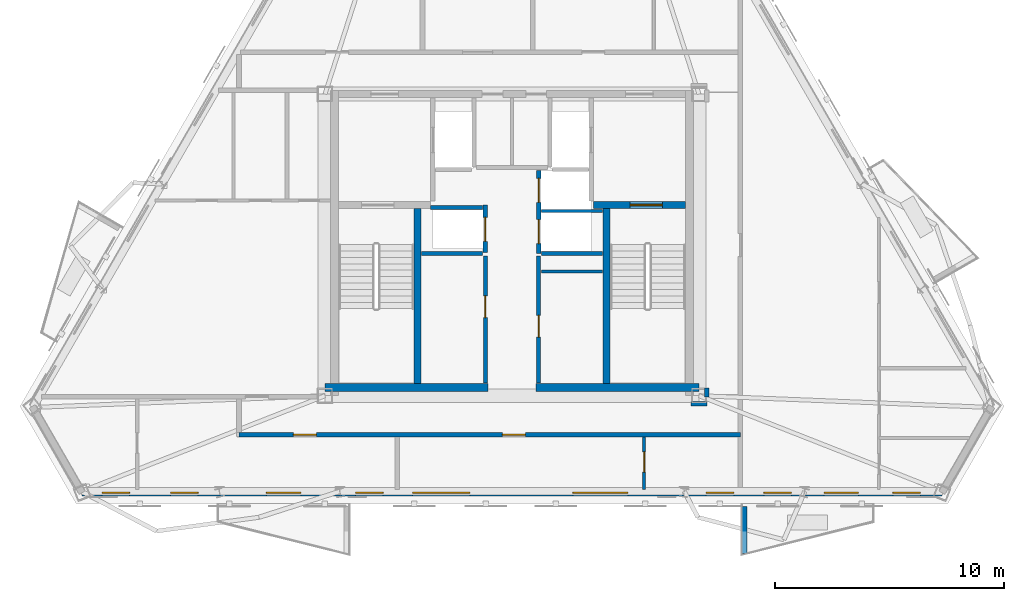
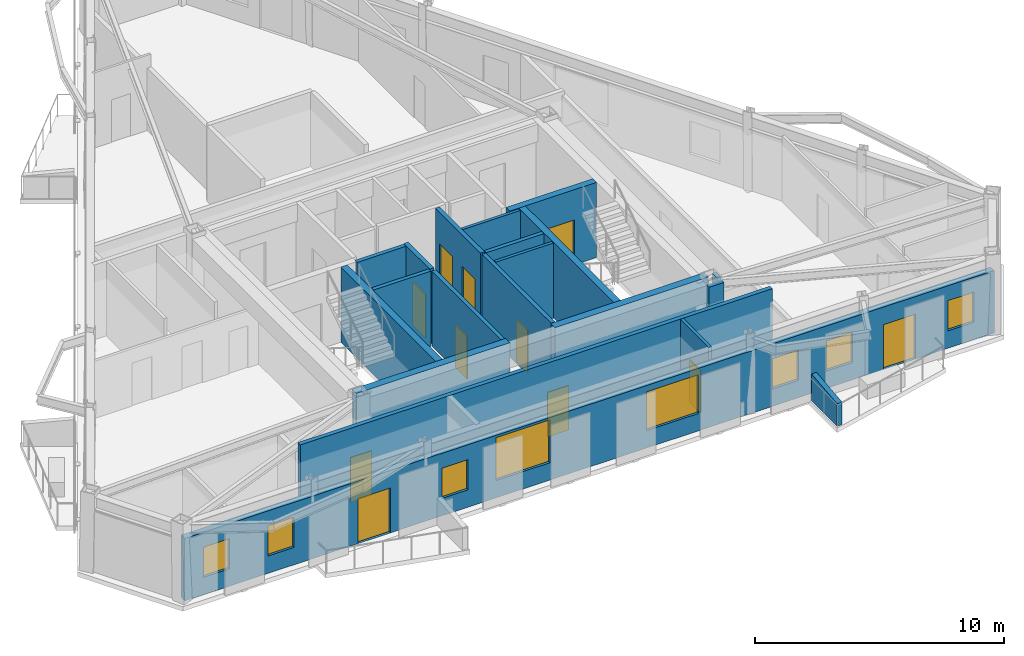
# One storey, part 3 of 9: 20 walls, 11 doors, 8 windows, 19 openings.
"""IFC4 building model written with IfcOpenShell, lengths in metres."""

import ifcopenshell
import ifcopenshell.guid

model = None  # the IFC model being written
_history = None  # IfcOwnerHistory: only IFC2X3 demands one
_inside = {}  # id of a spatial element -> (the spatial element, [elements in it])
_under = {}  # id of a project, library or spatial element -> (it, [spatial elements below it])
_declared = {}  # id of a project -> (the project, [libraries it declares])
_typed = {}  # id of a type object -> (the type object, [elements of that type])
_made_of = {}  # id of a material, layer set ... -> (it, [elements and type objects made of it])


def new_model(schema):
    """Start an empty IFC model of exactly this schema.

    Asked for "IFC4X3", IfcOpenShell would pick the latest addendum, in which some entities
    have other attributes; the version numbers below select the first issue.
    IFC2X3 requires an IfcOwnerHistory on every rooted entity: one is made here for all.
    """
    global model, _history
    if schema == "IFC4X3":
        model = ifcopenshell.file(schema_version=(4, 3, 0, 0))
    else:
        model = ifcopenshell.file(schema=schema)
    _inside.clear()
    _under.clear()
    _declared.clear()
    _typed.clear()
    _made_of.clear()
    _history = None
    if model.schema == "IFC2X3":
        org = make("IfcOrganization", Name="unknown")
        user = make(
            "IfcPersonAndOrganization",
            ThePerson=make("IfcPerson", FamilyName="unknown"),
            TheOrganization=org,
        )
        app = make(
            "IfcApplication",
            ApplicationDeveloper=org,
            Version="unknown",
            ApplicationFullName="unknown",
            ApplicationIdentifier="unknown",
        )
        _history = make(
            "IfcOwnerHistory",
            OwningUser=user,
            OwningApplication=app,
            ChangeAction="ADDED",
            CreationDate=0,
        )
    return model


def make(cls, **values):
    """One entity of the class cls with the attributes given. An attribute that is None is left unset."""
    return model.create_entity(
        cls, **{name: value for name, value in values.items() if value is not None}
    )


def rooted(cls, **values):
    """An entity with a GlobalId (a new one), such as an element, a storey or a relation."""
    return make(cls, GlobalId=ifcopenshell.guid.new(), OwnerHistory=_history, **values)


def si_unit(unit_type, name, prefix=None):
    """IfcSIUnit, for example si_unit("LENGTHUNIT", "METRE", prefix="MILLI")."""
    return make("IfcSIUnit", UnitType=unit_type, Prefix=prefix, Name=name)


def assignment(units):
    """IfcUnitAssignment: the units of a project."""
    return None if units is None else make("IfcUnitAssignment", Units=units)


def point(xyz):
    """IfcCartesianPoint."""
    return None if xyz is None else make("IfcCartesianPoint", Coordinates=xyz)


def direction(xyz):
    """IfcDirection."""
    return None if xyz is None else make("IfcDirection", DirectionRatios=xyz)


def frame(location, z_axis=None, x_axis=None):
    """IfcAxis2Placement3D, a coordinate frame: its origin and axes. An axis left out is left unset."""
    return make(
        "IfcAxis2Placement3D",
        Location=point(location),
        Axis=direction(z_axis),
        RefDirection=direction(x_axis),
    )


def frame_2d(location, x_axis=None):
    """IfcAxis2Placement2D, a coordinate frame in the plane: its origin and x axis."""
    return make(
        "IfcAxis2Placement2D", Location=point(location), RefDirection=direction(x_axis)
    )


def origin():
    """The frame at (0, 0, 0) with its axes left unset."""
    return frame((0.0, 0.0, 0.0))


def place(relative_to, where):
    """IfcLocalPlacement: puts the frame where relative to a parent placement (None: the world)."""
    return make(
        "IfcLocalPlacement", PlacementRelTo=relative_to, RelativePlacement=where
    )


def context(
    kind, dimensions, precision=None, world=None, true_north=None, identifier=None
):
    """IfcGeometricRepresentationContext, for example the 3D "Model" context."""
    return make(
        "IfcGeometricRepresentationContext",
        ContextIdentifier=identifier,
        ContextType=kind,
        CoordinateSpaceDimension=dimensions,
        Precision=precision,
        WorldCoordinateSystem=world,
        TrueNorth=true_north,
    )


def subcontext(parent, identifier, kind, view, scale=None):
    """IfcGeometricRepresentationSubContext, for example "Body" below "Model"."""
    return make(
        "IfcGeometricRepresentationSubContext",
        ContextIdentifier=identifier,
        ContextType=kind,
        ParentContext=parent,
        TargetScale=scale,
        TargetView=view,
    )


def project(units=None, contexts=None):
    """IfcProject with its units and contexts."""
    return rooted(
        "IfcProject",
        Name="project",
        RepresentationContexts=contexts,
        UnitsInContext=assignment(units),
    )


def spatial(cls, under=None, at=None, **own):
    """A site, building, storey or space (cls), placed at a placement, below another one or the project."""
    s = rooted(cls, ObjectPlacement=at, **own)
    if under is not None:
        _under.setdefault(under.id(), (under, []))[1].append(s)
    return s


def polyline(points):
    """IfcPolyline through the points."""
    return make("IfcPolyline", Points=[point(p) for p in points])


def profile(cls, at=None, kind="AREA", **sizes):
    """A parametric profile (cls). Its sizes go by their IFC names, for example OverallWidth=200.0."""
    return make(cls, ProfileType=kind, Position=at, **sizes)


def rectangle(**sizes):
    """IfcRectangleProfileDef."""
    return profile("IfcRectangleProfileDef", **sizes)


def outline(outer, holes=None, kind="AREA"):
    """IfcArbitraryClosedProfileDef: a profile drawn as a closed curve; with holes, ...WithVoids."""
    if holes is None:
        return make("IfcArbitraryClosedProfileDef", ProfileType=kind, OuterCurve=outer)
    return make(
        "IfcArbitraryProfileDefWithVoids",
        ProfileType=kind,
        OuterCurve=outer,
        InnerCurves=holes,
    )


def extrude(swept, where, along, depth):
    """IfcExtrudedAreaSolid: the profile swept, set in the frame where, extruded along a direction by depth."""
    return make(
        "IfcExtrudedAreaSolid",
        SweptArea=swept,
        Position=where,
        ExtrudedDirection=direction(along),
        Depth=depth,
    )


def shape(context_of_items, identifier, shape_type, items):
    """IfcShapeRepresentation: the items that make up one representation, for example the "Body"."""
    return make(
        "IfcShapeRepresentation",
        ContextOfItems=context_of_items,
        RepresentationIdentifier=identifier,
        RepresentationType=shape_type,
        Items=items,
    )


def material(Name=None, Category=None):
    """IfcMaterial."""
    return make("IfcMaterial", Name=Name, Category=Category)


def layer(
    of_material, thickness, ventilated=None, Name=None, Category=None, Priority=None
):
    """IfcMaterialLayer: one layer of a wall or slab, of a material (None: an air gap)."""
    return make(
        "IfcMaterialLayer",
        Material=of_material,
        LayerThickness=thickness,
        IsVentilated=ventilated,
        Name=Name,
        Category=Category,
        Priority=Priority,
    )


def layer_set(layers, Name=None):
    """IfcMaterialLayerSet."""
    return make("IfcMaterialLayerSet", MaterialLayers=layers, LayerSetName=Name)


def made_of(thing, what):
    """Note that an element or type object is made of a material, layer set ...; save() writes the relation."""
    if what is not None:
        _made_of.setdefault(what.id(), (what, []))[1].append(thing)
    return thing


def type_object(cls, material=None, **own):
    """A type object (cls), such as IfcWallType, which elements share."""
    return made_of(rooted(cls, **own), material)


def element(
    cls,
    number,
    at=None,
    inside=None,
    cuts=None,
    type_object=None,
    material=None,
    context=None,
    identifier="Body",
    shape_type=None,
    held_by="IfcProductDefinitionShape",
    body=None,
    shapes=None,
    **own,
):
    """One element of the class cls, such as IfcWall. Its Tag is "e" and its number.

    at: its placement. inside: the storey or other place that contains it. cuts: it is an
    opening in that element (IfcRelVoidsElement). A single representation is given by context,
    identifier, shape_type and body (its items); several are given by shapes. held_by: the class
    of the entity that holds the representations. save() writes the other relations.
    """
    e = rooted(cls, Tag="e%d" % number, ObjectPlacement=at, **own)
    if body is not None:
        shapes = [shape(context, identifier, shape_type, body)]
    if shapes is not None:
        e.Representation = make(held_by, Representations=shapes)
    if inside is not None:
        _inside.setdefault(inside.id(), (inside, []))[1].append(e)
    if cuts is not None:
        rooted(
            "IfcRelVoidsElement", RelatingBuildingElement=cuts, RelatedOpeningElement=e
        )
    if type_object is not None:
        _typed.setdefault(type_object.id(), (type_object, []))[1].append(e)
    return made_of(e, material)


def fill(opening, filler):
    """IfcRelFillsElement: the door or window that sits in an opening."""
    return rooted(
        "IfcRelFillsElement",
        RelatingOpeningElement=opening,
        RelatedBuildingElement=filler,
    )


def aggregate(whole, parts):
    """IfcRelAggregates: a whole, such as a stair, and the parts it consists of."""
    return rooted("IfcRelAggregates", RelatingObject=whole, RelatedObjects=parts)


def save(model, path):
    """Write the relations noted so far, then the file.

    IfcRelAggregates (storeys below a building ...), IfcRelContainedInSpatialStructure (elements
    in a storey), IfcRelDefinesByType, IfcRelAssociatesMaterial and IfcRelDeclares: one each for
    every whole, place, type object, material and project.
    """
    for whole, parts in _under.values():
        aggregate(whole, parts)
    for where, things in _inside.values():
        rooted(
            "IfcRelContainedInSpatialStructure",
            RelatedElements=things,
            RelatingStructure=where,
        )
    for kind, things in _typed.values():
        rooted("IfcRelDefinesByType", RelatedObjects=things, RelatingType=kind)
    for what, things in _made_of.values():
        rooted("IfcRelAssociatesMaterial", RelatedObjects=things, RelatingMaterial=what)
    for by, libraries in _declared.values():
        rooted("IfcRelDeclares", RelatingContext=by, RelatedDefinitions=libraries)
    model.write(path)


model = new_model("IFC4")

# Units and contexts
model_context = context("Model", 3, precision=1e-05, world=origin(), true_north=direction((0.0, 1.0)))
body_context = subcontext(model_context, "Body", "Model", "MODEL_VIEW")
ifc_project = project(units=[si_unit("LENGTHUNIT", "METRE"), si_unit("AREAUNIT", "SQUARE_METRE"), si_unit("VOLUMEUNIT", "CUBIC_METRE"), si_unit("PLANEANGLEUNIT", "RADIAN"), si_unit("MASSUNIT", "GRAM", prefix="KILO")], contexts=[model_context])

# Site, building, storey
site_placement = place(None, origin())
site = spatial("IfcSite", under=ifc_project, at=site_placement, CompositionType="ELEMENT")
building_placement = place(site_placement, origin())
building = spatial("IfcBuilding", under=site, at=building_placement, Name="Oramaril Tower", CompositionType="ELEMENT")
storey_placement = place(building_placement, frame((0.0, 0.0, 285.0)))
storey = spatial("IfcBuildingStorey", under=building, at=storey_placement, Name="L75", CompositionType="ELEMENT", Elevation=285.0)

# Wall, openings, doors, windows
ifc_material_1 = material(Name="Warm Cream Limestone", Category="masonry")
ifc_layer_1 = layer(ifc_material_1, 0.2900390625)
ifc_layer_set_1 = layer_set([ifc_layer_1], Name="WT-EXT29")
wall_type_1 = type_object("IfcWallType", Name="WT-EXT29", PredefinedType="SOLIDWALL", material=ifc_layer_set_1)
wall_1_placement = place(storey_placement, frame((18.759521484375, 6.769775390625, 0.0), z_axis=(0.0, 0.0, 1.0), x_axis=(1.0, 0.0, 0.0)))
wall_1 = element("IfcWall", 1, at=wall_1_placement, inside=storey, type_object=wall_type_1, Name="L75 Tower Limestone Facade Wall 2M", PredefinedType="SOLIDWALL", context=body_context, shape_type="SweptSolid", body=[
    extrude(rectangle(XDim=37.48095703125, YDim=0.2900390625, at=frame_2d((18.740478515625, 0.0))), origin(), (0.0, 0.0, 1.0), 3.05810546875),
])
opening_1_placement = place(wall_1_placement, frame((8.034423828125, 0.0, 0.0)))
opening_1 = element("IfcOpeningElement", 2, at=opening_1_placement, cuts=wall_1, Name="Opening D-L75-BAL-S1", PredefinedType="OPENING", context=body_context, shape_type="SweptSolid", body=[
    extrude(rectangle(XDim=1.5, YDim=2.199951171875, at=frame_2d((0.75, 1.10009765625))), frame((0.0, 0.14501953125, 0.0), z_axis=(0.0, -1.0, 0.0), x_axis=(1.0, 0.0, 0.0)), (0.0, 0.0, 1.0), 0.2900390625),
])
opening_2_placement = place(wall_1_placement, frame((32.34130859375, 0.0, 0.0)))
opening_2 = element("IfcOpeningElement", 3, at=opening_2_placement, cuts=wall_1, Name="Opening D-L75-BAL-S2", PredefinedType="OPENING", context=body_context, shape_type="SweptSolid", body=[
    extrude(rectangle(XDim=1.5, YDim=2.199951171875, at=frame_2d((0.75, 1.10009765625))), frame((0.0, 0.14501953125, 0.0), z_axis=(0.0, -1.0, 0.0), x_axis=(1.0, 0.0, 0.0)), (0.0, 0.0, 1.0), 0.2900390625),
])
opening_3_placement = place(wall_1_placement, frame((3.864013671875, 0.0, 0.85009765625)))
opening_3 = element("IfcOpeningElement", 4, at=opening_3_placement, cuts=wall_1, Name="Opening WN-09", PredefinedType="OPENING", context=body_context, shape_type="SweptSolid", body=[
    extrude(rectangle(XDim=1.199951171875, YDim=1.47998046875, at=frame_2d((0.60009765625, 0.739990234375))), frame((0.0, 0.14501953125, 0.0), z_axis=(0.0, -1.0, 0.0), x_axis=(1.0, 0.0, 0.0)), (0.0, 0.0, 1.0), 0.2900390625),
])
opening_4_placement = place(wall_1_placement, frame((11.92578125, 0.0, 0.85009765625)))
opening_4 = element("IfcOpeningElement", 5, at=opening_4_placement, cuts=wall_1, Name="Opening WN-09", PredefinedType="OPENING", context=body_context, shape_type="SweptSolid", body=[
    extrude(rectangle(XDim=1.199951171875, YDim=1.47998046875, at=frame_2d((0.60009765625, 0.739990234375))), frame((0.0, 0.14501953125, 0.0), z_axis=(0.0, -1.0, 0.0), x_axis=(1.0, 0.0, 0.0)), (0.0, 0.0, 1.0), 0.2900390625),
])
opening_5_placement = place(wall_1_placement, frame((0.871826171875, 0.0, 0.85009765625)))
opening_5 = element("IfcOpeningElement", 6, at=opening_5_placement, cuts=wall_1, Name="Opening WN-09", PredefinedType="OPENING", context=body_context, shape_type="SweptSolid", body=[
    extrude(rectangle(XDim=1.199951171875, YDim=1.47998046875, at=frame_2d((0.60009765625, 0.739990234375))), frame((0.0, 0.14501953125, 0.0), z_axis=(0.0, -1.0, 0.0), x_axis=(1.0, 0.0, 0.0)), (0.0, 0.0, 1.0), 0.2900390625),
])
opening_6_placement = place(wall_1_placement, frame((14.4052734375, 0.0, 0.85009765625)))
opening_6 = element("IfcOpeningElement", 7, at=opening_6_placement, cuts=wall_1, Name="Opening WN-11", PredefinedType="OPENING", context=body_context, shape_type="SweptSolid", body=[
    extrude(rectangle(XDim=2.5, YDim=2.097900390625, at=frame_2d((1.25, 1.048828125))), frame((0.0, 0.14501953125, 0.0), z_axis=(0.0, -1.0, 0.0), x_axis=(1.0, 0.0, 0.0)), (0.0, 0.0, 1.0), 0.2900390625),
])
opening_7_placement = place(wall_1_placement, frame((21.389404296875, 0.0, 0.85009765625)))
opening_7 = element("IfcOpeningElement", 8, at=opening_7_placement, cuts=wall_1, Name="Opening WN-03", PredefinedType="OPENING", context=body_context, shape_type="SweptSolid", body=[
    extrude(rectangle(XDim=2.39990234375, YDim=1.89990234375, at=frame_2d((1.199951171875, 0.949951171875))), frame((0.0, 0.14501953125, 0.0), z_axis=(0.0, -1.0, 0.0), x_axis=(1.0, 0.0, 0.0)), (0.0, 0.0, 1.0), 0.2900390625),
])
opening_8_placement = place(wall_1_placement, frame((27.206298828125, 0.0, 0.85009765625)))
opening_8 = element("IfcOpeningElement", 9, at=opening_8_placement, cuts=wall_1, Name="Opening WN-09", PredefinedType="OPENING", context=body_context, shape_type="SweptSolid", body=[
    extrude(rectangle(XDim=1.199951171875, YDim=1.47998046875, at=frame_2d((0.60009765625, 0.739990234375))), frame((0.0, 0.14501953125, 0.0), z_axis=(0.0, -1.0, 0.0), x_axis=(1.0, 0.0, 0.0)), (0.0, 0.0, 1.0), 0.2900390625),
])
opening_9_placement = place(wall_1_placement, frame((29.71728515625, 0.0, 0.85009765625)))
opening_9 = element("IfcOpeningElement", 10, at=opening_9_placement, cuts=wall_1, Name="Opening WN-09", PredefinedType="OPENING", context=body_context, shape_type="SweptSolid", body=[
    extrude(rectangle(XDim=1.199951171875, YDim=1.47998046875, at=frame_2d((0.60009765625, 0.739990234375))), frame((0.0, 0.14501953125, 0.0), z_axis=(0.0, -1.0, 0.0), x_axis=(1.0, 0.0, 0.0)), (0.0, 0.0, 1.0), 0.2900390625),
])
opening_10_placement = place(wall_1_placement, frame((35.3408203125, 0.0, 0.85009765625)))
opening_10 = element("IfcOpeningElement", 11, at=opening_10_placement, cuts=wall_1, Name="Opening WN-09", PredefinedType="OPENING", context=body_context, shape_type="SweptSolid", body=[
    extrude(rectangle(XDim=1.199951171875, YDim=1.47998046875, at=frame_2d((0.60009765625, 0.739990234375))), frame((0.0, 0.14501953125, 0.0), z_axis=(0.0, -1.0, 0.0), x_axis=(1.0, 0.0, 0.0)), (0.0, 0.0, 1.0), 0.2900390625),
])
ifc_material_2 = material(Name="Anodised Aluminium 6063-T6", Category="aluminium")
door_type_1 = type_object("IfcDoorType", Name="DT-BAL", OperationType="NOTDEFINED", PredefinedType="DOOR", material=ifc_material_2)
door_1_placement = place(opening_1_placement, origin())
door_1 = element("IfcDoor", 12, at=door_1_placement, inside=storey, type_object=door_type_1, Name="L75 Balcony Glazed Door L75-BAL-S1", OperationType="SINGLE_SWING_RIGHT", OverallHeight=2.199951171875, OverallWidth=1.5, PredefinedType="DOOR", context=body_context, shape_type="SweptSolid", body=[
    extrude(rectangle(XDim=1.5, YDim=2.199951171875, at=frame_2d((0.75, 1.10009765625))), frame((0.0, 0.02490234375, 0.0), z_axis=(0.0, -1.0, 0.0), x_axis=(1.0, 0.0, 0.0)), (0.0, 0.0, 1.0), 0.050048828125),
])
fill(opening_1, door_1)
door_2_placement = place(opening_2_placement, origin())
door_2 = element("IfcDoor", 13, at=door_2_placement, inside=storey, type_object=door_type_1, Name="L75 Balcony Glazed Door L75-BAL-S2", OperationType="SINGLE_SWING_LEFT", OverallHeight=2.199951171875, OverallWidth=1.5, PredefinedType="DOOR", context=body_context, shape_type="SweptSolid", body=[
    extrude(rectangle(XDim=1.5, YDim=2.199951171875, at=frame_2d((0.75, 1.10009765625))), frame((0.0, 0.02490234375, 0.0), z_axis=(0.0, -1.0, 0.0), x_axis=(1.0, 0.0, 0.0)), (0.0, 0.0, 1.0), 0.050048828125),
])
fill(opening_2, door_2)
ifc_material_3 = material(Name="Coastal Low-E Insulated Glass", Category="glass")
window_type_1 = type_object("IfcWindowType", Name="WNT-03", PartitioningType="SINGLE_PANEL", PredefinedType="WINDOW", material=ifc_material_3)
window_1_placement = place(opening_7_placement, origin())
window_1 = element("IfcWindow", 14, at=window_1_placement, inside=storey, type_object=window_type_1, Name="L75 Chicago Bay Window WN-03", OverallHeight=1.89990234375, OverallWidth=2.39990234375, PartitioningType="SINGLE_PANEL", PredefinedType="WINDOW", context=body_context, shape_type="SweptSolid", body=[
    extrude(rectangle(XDim=2.39990234375, YDim=1.89990234375, at=frame_2d((1.199951171875, 0.949951171875))), frame((0.0, 0.030029296875, 0.0), z_axis=(0.0, -1.0, 0.0), x_axis=(1.0, 0.0, 0.0)), (0.0, 0.0, 1.0), 0.06005859375),
])
fill(opening_7, window_1)
ifc_material_4 = material(Name="Coastal Low-E Insulated Glass", Category="glass")
window_type_2 = type_object("IfcWindowType", Name="WNT-09", PartitioningType="SINGLE_PANEL", PredefinedType="WINDOW", material=ifc_material_4)
window_2_placement = place(opening_3_placement, origin())
window_2 = element("IfcWindow", 15, at=window_2_placement, inside=storey, type_object=window_type_2, Name="L75 Chicago Bay Window WN-09", OverallHeight=1.47998046875, OverallWidth=1.199951171875, PartitioningType="SINGLE_PANEL", PredefinedType="WINDOW", context=body_context, shape_type="SweptSolid", body=[
    extrude(rectangle(XDim=1.199951171875, YDim=1.47998046875, at=frame_2d((0.60009765625, 0.739990234375))), frame((0.0, 0.030029296875, 0.0), z_axis=(0.0, -1.0, 0.0), x_axis=(1.0, 0.0, 0.0)), (0.0, 0.0, 1.0), 0.06005859375),
])
fill(opening_3, window_2)
window_3_placement = place(opening_4_placement, origin())
window_3 = element("IfcWindow", 16, at=window_3_placement, inside=storey, type_object=window_type_2, Name="L75 Chicago Bay Window WN-09", OverallHeight=1.47998046875, OverallWidth=1.199951171875, PartitioningType="SINGLE_PANEL", PredefinedType="WINDOW", context=body_context, shape_type="SweptSolid", body=[
    extrude(rectangle(XDim=1.199951171875, YDim=1.47998046875, at=frame_2d((0.60009765625, 0.739990234375))), frame((0.0, 0.030029296875, 0.0), z_axis=(0.0, -1.0, 0.0), x_axis=(1.0, 0.0, 0.0)), (0.0, 0.0, 1.0), 0.06005859375),
])
fill(opening_4, window_3)
window_4_placement = place(opening_5_placement, origin())
window_4 = element("IfcWindow", 17, at=window_4_placement, inside=storey, type_object=window_type_2, Name="L75 Chicago Bay Window WN-09", OverallHeight=1.47998046875, OverallWidth=1.199951171875, PartitioningType="SINGLE_PANEL", PredefinedType="WINDOW", context=body_context, shape_type="SweptSolid", body=[
    extrude(rectangle(XDim=1.199951171875, YDim=1.47998046875, at=frame_2d((0.60009765625, 0.739990234375))), frame((0.0, 0.030029296875, 0.0), z_axis=(0.0, -1.0, 0.0), x_axis=(1.0, 0.0, 0.0)), (0.0, 0.0, 1.0), 0.06005859375),
])
fill(opening_5, window_4)
window_5_placement = place(opening_8_placement, origin())
window_5 = element("IfcWindow", 18, at=window_5_placement, inside=storey, type_object=window_type_2, Name="L75 Chicago Bay Window WN-09", OverallHeight=1.47998046875, OverallWidth=1.199951171875, PartitioningType="SINGLE_PANEL", PredefinedType="WINDOW", context=body_context, shape_type="SweptSolid", body=[
    extrude(rectangle(XDim=1.199951171875, YDim=1.47998046875, at=frame_2d((0.60009765625, 0.739990234375))), frame((0.0, 0.030029296875, 0.0), z_axis=(0.0, -1.0, 0.0), x_axis=(1.0, 0.0, 0.0)), (0.0, 0.0, 1.0), 0.06005859375),
])
fill(opening_8, window_5)
window_6_placement = place(opening_9_placement, origin())
window_6 = element("IfcWindow", 19, at=window_6_placement, inside=storey, type_object=window_type_2, Name="L75 Chicago Bay Window WN-09", OverallHeight=1.47998046875, OverallWidth=1.199951171875, PartitioningType="SINGLE_PANEL", PredefinedType="WINDOW", context=body_context, shape_type="SweptSolid", body=[
    extrude(rectangle(XDim=1.199951171875, YDim=1.47998046875, at=frame_2d((0.60009765625, 0.739990234375))), frame((0.0, 0.030029296875, 0.0), z_axis=(0.0, -1.0, 0.0), x_axis=(1.0, 0.0, 0.0)), (0.0, 0.0, 1.0), 0.06005859375),
])
fill(opening_9, window_6)
window_7_placement = place(opening_10_placement, origin())
window_7 = element("IfcWindow", 20, at=window_7_placement, inside=storey, type_object=window_type_2, Name="L75 Chicago Bay Window WN-09", OverallHeight=1.47998046875, OverallWidth=1.199951171875, PartitioningType="SINGLE_PANEL", PredefinedType="WINDOW", context=body_context, shape_type="SweptSolid", body=[
    extrude(rectangle(XDim=1.199951171875, YDim=1.47998046875, at=frame_2d((0.60009765625, 0.739990234375))), frame((0.0, 0.030029296875, 0.0), z_axis=(0.0, -1.0, 0.0), x_axis=(1.0, 0.0, 0.0)), (0.0, 0.0, 1.0), 0.06005859375),
])
fill(opening_10, window_7)
ifc_material_5 = material(Name="Coastal Low-E Insulated Glass", Category="glass")
window_type_3 = type_object("IfcWindowType", Name="WNT-11", PartitioningType="SINGLE_PANEL", PredefinedType="WINDOW", material=ifc_material_5)
window_8_placement = place(opening_6_placement, origin())
window_8 = element("IfcWindow", 21, at=window_8_placement, inside=storey, type_object=window_type_3, Name="L75 Chicago Bay Window WN-11", OverallHeight=2.097900390625, OverallWidth=2.5, PartitioningType="SINGLE_PANEL", PredefinedType="WINDOW", context=body_context, shape_type="SweptSolid", body=[
    extrude(rectangle(XDim=2.5, YDim=2.097900390625, at=frame_2d((1.25, 1.048828125))), frame((0.0, 0.030029296875, 0.0), z_axis=(0.0, -1.0, 0.0), x_axis=(1.0, 0.0, 0.0)), (0.0, 0.0, 1.0), 0.06005859375),
])
fill(opening_6, window_8)

# Walls
ifc_material_6 = material(Name="Concrete C40/50", Category="concrete")
ifc_layer_2 = layer(ifc_material_6, 0.22998046875)
ifc_layer_set_2 = layer_set([ifc_layer_2], Name="WT-PRP23")
wall_type_2 = type_object("IfcWallType", Name="WT-PRP23", PredefinedType="PARAPET", material=ifc_layer_set_2)
wall_2_placement = place(storey_placement, frame((47.635986328125, 6.171630859375, 0.0), z_axis=(0.0, 0.0, 1.0), x_axis=(0.0, -1.0, 0.0)))
element("IfcWall", 22, at=wall_2_placement, inside=storey, type_object=wall_type_2, Name="L75 Trapezoidal Balcony Frame Cheek L75-BAL-S2-L", PredefinedType="PARAPET", context=body_context, shape_type="SweptSolid", body=[
    extrude(outline(polyline([(0.0, 0.0), (2.0419921875, 0.0), (2.0419921875, 1.10009765625), (0.0, 1.320068359375), (0.0, 0.0)])), frame((0.0, 0.114990234375, 0.0), z_axis=(0.0, -1.0, 0.0), x_axis=(1.0, 0.0, 0.0)), (0.0, 0.0, 1.0), 0.22998046875),
])
ifc_material_7 = material(Name="Acoustic Gypsum Board Partition")
ifc_layer_3 = layer(ifc_material_7, 0.139892578125)
ifc_layer_set_3 = layer_set([ifc_layer_3], Name="WT-PT14")
wall_type_3 = type_object("IfcWallType", Name="WT-PT14", PredefinedType="PARTITIONING", material=ifc_layer_set_3)
for number, where, z_axis, x_axis, name in (
    (23, (38.780029296875, 19.050048828125, 0.0), (0.0, 0.0, 1.0), (1.0, 0.0, 0.0), "L75 High-Rise Lift H2-H3 Divider"),
    (24, (38.780029296875, 16.419921875, 0.0), (0.0, 0.0, 1.0), (1.0, 0.0, 0.0), "L75 Freed Shaft North Closure"),
):
    element("IfcWall", number, at=place(storey_placement, frame(where, z_axis=z_axis, x_axis=x_axis)), inside=storey, type_object=wall_type_3, Name=name, PredefinedType="PARTITIONING", context=body_context, shape_type="SweptSolid", body=[
        extrude(rectangle(XDim=2.659912109375, YDim=0.139892578125, at=frame_2d((1.330078125, 0.0))), origin(), (0.0, 0.0, 1.0), 3.679931640625),
    ])

# Wall, opening, door
wall_3_placement = place(storey_placement, frame((43.260009765625, 6.918701171875, 0.0), z_axis=(0.0, 0.0, 1.0), x_axis=(0.0, 1.0, 0.0)))
wall_3 = element("IfcWall", 25, at=wall_3_placement, inside=storey, type_object=wall_type_3, Name="L75 Interior Partition PT-14", PredefinedType="PARTITIONING", context=body_context, shape_type="SweptSolid", body=[
    extrude(rectangle(XDim=2.27734375, YDim=0.139892578125, at=frame_2d((1.138671875, 0.0))), origin(), (0.0, 0.0, 1.0), 3.679931640625),
])
opening_11_placement = place(wall_3_placement, frame((0.751220703125, 0.0, 0.0)))
opening_11 = element("IfcOpeningElement", 26, at=opening_11_placement, cuts=wall_3, Name="Opening D-L75-12", PredefinedType="OPENING", context=body_context, shape_type="SweptSolid", body=[
    extrude(rectangle(XDim=0.8798828125, YDim=2.080078125, at=frame_2d((0.43994140625, 1.0400390625))), frame((0.0, 0.06982421875, 0.0), z_axis=(0.0, -1.0, 0.0), x_axis=(1.0, 0.0, 0.0)), (0.0, 0.0, 1.0), 0.139892578125),
])
ifc_material_8 = material(Name="FSC Brazilian Freijo Hardwood", Category="wood")
door_type_2 = type_object("IfcDoorType", Name="DT-BATH", OperationType="NOTDEFINED", PredefinedType="DOOR", material=ifc_material_8)
door_3_placement = place(opening_11_placement, origin())
door_3 = element("IfcDoor", 27, at=door_3_placement, inside=storey, type_object=door_type_2, Name="L75 Flat L75-U2 Bathroom Door D-L75-12", OperationType="SINGLE_SWING_LEFT", OverallHeight=2.080078125, OverallWidth=0.8798828125, PredefinedType="DOOR", context=body_context, shape_type="SweptSolid", body=[
    extrude(rectangle(XDim=0.8798828125, YDim=2.080078125, at=frame_2d((0.43994140625, 1.0400390625))), frame((0.0, 0.02490234375, 0.0), z_axis=(0.0, -1.0, 0.0), x_axis=(1.0, 0.0, 0.0)), (0.0, 0.0, 1.0), 0.050048828125),
])
fill(opening_11, door_3)

# Walls
ifc_material_9 = material(Name="Autoclaved Cellular Concrete Block", Category="concrete")
ifc_layer_4 = layer(ifc_material_9, 0.179931640625)
ifc_layer_set_4 = layer_set([ifc_layer_4], Name="WT-PT18")
wall_type_4 = type_object("IfcWallType", Name="WT-PT18", PredefinedType="PARTITIONING", material=ifc_layer_set_4)
wall_4_placement = place(storey_placement, frame((33.949951171875, 19.199951171875, 0.0), z_axis=(0.0, 0.0, 1.0), x_axis=(1.0, 0.0, 0.0)))
element("IfcWall", 28, at=wall_4_placement, inside=storey, type_object=wall_type_4, Name="L75 High-Rise Lift H1 North Shaft Wall", PredefinedType="PARTITIONING", context=body_context, shape_type="SweptSolid", body=[
    extrude(rectangle(XDim=2.27001953125, YDim=0.179931640625, at=frame_2d((1.135009765625, 0.0))), origin(), (0.0, 0.0, 1.0), 3.679931640625),
])
wall_5_placement = place(storey_placement, frame((33.56005859375, 17.199951171875, 0.0), z_axis=(0.0, 0.0, 1.0), x_axis=(1.0, 0.0, 0.0)))
element("IfcWall", 29, at=wall_5_placement, inside=storey, type_object=wall_type_4, Name="L75 High-Rise Lift H1 South Wall", PredefinedType="PARTITIONING", context=body_context, shape_type="SweptSolid", body=[
    extrude(rectangle(XDim=2.659912109375, YDim=0.179931640625, at=frame_2d((1.330078125, 0.0))), origin(), (0.0, 0.0, 1.0), 3.679931640625),
])

# Wall, opening, door
wall_6_placement = place(storey_placement, frame((36.340087890625, 11.550048828125, 0.0), z_axis=(0.0, 0.0, 1.0), x_axis=(0.0, 1.0, 0.0)))
wall_6 = element("IfcWall", 30, at=wall_6_placement, inside=storey, type_object=wall_type_4, Name="L75 Freed Shaft Study East Wall", PredefinedType="PARTITIONING", context=body_context, shape_type="SweptSolid", body=[
    extrude(rectangle(XDim=5.550048828125, YDim=0.179931640625, at=frame_2d((2.77490234375, 0.0))), origin(), (0.0, 0.0, 1.0), 3.679931640625),
])
opening_12_placement = place(wall_6_placement, frame((2.85009765625, 0.0, 0.0)))
opening_12 = element("IfcOpeningElement", 31, at=opening_12_placement, cuts=wall_6, Name="Opening D-L75-FL1", PredefinedType="OPENING", context=body_context, shape_type="SweptSolid", body=[
    extrude(rectangle(XDim=0.949951171875, YDim=2.10009765625, at=frame_2d((0.47509765625, 1.050048828125))), frame((0.0, 0.08984375, 0.0), z_axis=(0.0, -1.0, 0.0), x_axis=(1.0, 0.0, 0.0)), (0.0, 0.0, 1.0), 0.179931640625),
])
ifc_material_10 = material(Name="FSC Brazilian Freijo Hardwood", Category="wood")
door_type_3 = type_object("IfcDoorType", Name="DT-STDY", OperationType="NOTDEFINED", PredefinedType="DOOR", material=ifc_material_10)
door_4_placement = place(opening_12_placement, origin())
door_4 = element("IfcDoor", 32, at=door_4_placement, inside=storey, type_object=door_type_3, Name="L75 L75 Residents Study Alcove Door", OperationType="SINGLE_SWING_LEFT", OverallHeight=2.10009765625, OverallWidth=0.949951171875, PredefinedType="DOOR", context=body_context, shape_type="SweptSolid", body=[
    extrude(rectangle(XDim=0.949951171875, YDim=2.10009765625, at=frame_2d((0.47509765625, 1.050048828125))), frame((0.0, 0.02490234375, 0.0), z_axis=(0.0, -1.0, 0.0), x_axis=(1.0, 0.0, 0.0)), (0.0, 0.0, 1.0), 0.050048828125),
])
fill(opening_12, door_4)

# Wall
wall_7_placement = place(storey_placement, frame((38.780029296875, 17.199951171875, 0.0), z_axis=(0.0, 0.0, 1.0), x_axis=(1.0, 0.0, 0.0)))
element("IfcWall", 33, at=wall_7_placement, inside=storey, type_object=wall_type_4, Name="L75 High-Rise Lift H2 South Wall", PredefinedType="PARTITIONING", context=body_context, shape_type="SweptSolid", body=[
    extrude(rectangle(XDim=2.659912109375, YDim=0.179931640625, at=frame_2d((1.330078125, 0.0))), origin(), (0.0, 0.0, 1.0), 3.679931640625),
])

# Wall, opening, door
wall_8_placement = place(storey_placement, frame((38.659912109375, 11.550048828125, 0.0), z_axis=(0.0, 0.0, 1.0), x_axis=(0.0, 1.0, 0.0)))
wall_8 = element("IfcWall", 34, at=wall_8_placement, inside=storey, type_object=wall_type_4, Name="L75 Freed Shaft Alcove West Wall", PredefinedType="PARTITIONING", context=body_context, shape_type="SweptSolid", body=[
    extrude(rectangle(XDim=5.550048828125, YDim=0.179931640625, at=frame_2d((2.77490234375, 0.0))), origin(), (0.0, 0.0, 1.0), 3.679931640625),
])
opening_13_placement = place(wall_8_placement, frame((2.0, 0.0, 0.0)))
opening_13 = element("IfcOpeningElement", 35, at=opening_13_placement, cuts=wall_8, Name="Opening D-L75-FM1", PredefinedType="OPENING", context=body_context, shape_type="SweptSolid", body=[
    extrude(rectangle(XDim=0.949951171875, YDim=2.10009765625, at=frame_2d((0.47509765625, 1.050048828125))), frame((0.0, 0.08984375, 0.0), z_axis=(0.0, -1.0, 0.0), x_axis=(1.0, 0.0, 0.0)), (0.0, 0.0, 1.0), 0.179931640625),
])
door_5_placement = place(opening_13_placement, origin())
door_5 = element("IfcDoor", 36, at=door_5_placement, inside=storey, type_object=door_type_3, Name="L75 L75 Sky Reading Room Door", OperationType="SINGLE_SWING_RIGHT", OverallHeight=2.10009765625, OverallWidth=0.949951171875, PredefinedType="DOOR", context=body_context, shape_type="SweptSolid", body=[
    extrude(rectangle(XDim=0.949951171875, YDim=2.10009765625, at=frame_2d((0.47509765625, 1.050048828125))), frame((0.0, 0.02490234375, 0.0), z_axis=(0.0, -1.0, 0.0), x_axis=(1.0, 0.0, 0.0)), (0.0, 0.0, 1.0), 0.050048828125),
])
fill(opening_13, door_5)

# Wall, openings, doors
ifc_material_11 = material(Name="Autoclaved Cellular Concrete Block", Category="concrete")
ifc_layer_5 = layer(ifc_material_11, 0.199951171875)
ifc_layer_set_5 = layer_set([ifc_layer_5], Name="WT-PT20")
wall_type_5 = type_object("IfcWallType", Name="WT-PT20", PredefinedType="PARTITIONING", material=ifc_layer_set_5)
wall_9_placement = place(storey_placement, frame((25.60009765625, 9.300048828125, 0.0), z_axis=(0.0, 0.0, 1.0), x_axis=(1.0, 0.0, 0.0)))
wall_9 = element("IfcWall", 37, at=wall_9_placement, inside=storey, type_object=wall_type_5, Name="L75 Interior Partition PT-20", PredefinedType="PARTITIONING", context=body_context, shape_type="SweptSolid", body=[
    extrude(rectangle(XDim=21.849853515625, YDim=0.199951171875, at=frame_2d((10.9248046875, 0.0))), origin(), (0.0, 0.0, 1.0), 3.679931640625),
])
opening_14_placement = place(wall_9_placement, frame((2.375, 0.0, 0.0)))
opening_14 = element("IfcOpeningElement", 38, at=opening_14_placement, cuts=wall_9, Name="Opening D-L75-01", PredefinedType="OPENING", context=body_context, shape_type="SweptSolid", body=[
    extrude(rectangle(XDim=1.0, YDim=2.179931640625, at=frame_2d((0.5, 1.08984375))), frame((0.0, 0.10009765625, 0.0), z_axis=(0.0, -1.0, 0.0), x_axis=(1.0, 0.0, 0.0)), (0.0, 0.0, 1.0), 0.199951171875),
])
opening_15_placement = place(wall_9_placement, frame((11.48291015625, 0.0, 0.0)))
opening_15 = element("IfcOpeningElement", 39, at=opening_15_placement, cuts=wall_9, Name="Opening D-L75-02", PredefinedType="OPENING", context=body_context, shape_type="SweptSolid", body=[
    extrude(rectangle(XDim=1.0, YDim=2.179931640625, at=frame_2d((0.5, 1.08984375))), frame((0.0, 0.10009765625, 0.0), z_axis=(0.0, -1.0, 0.0), x_axis=(1.0, 0.0, 0.0)), (0.0, 0.0, 1.0), 0.199951171875),
])
ifc_material_12 = material(Name="FSC Brazilian Freijo Hardwood", Category="wood")
door_type_4 = type_object("IfcDoorType", Name="DT-APT", OperationType="NOTDEFINED", PredefinedType="DOOR", material=ifc_material_12)
door_6_placement = place(opening_14_placement, origin())
door_6 = element("IfcDoor", 40, at=door_6_placement, inside=storey, type_object=door_type_4, Name="L75 Flat L75-U1 Kitchen and Studio Apartment Door D-L75-01", OperationType="SINGLE_SWING_RIGHT", OverallHeight=2.179931640625, OverallWidth=1.0, PredefinedType="DOOR", context=body_context, shape_type="SweptSolid", body=[
    extrude(rectangle(XDim=1.0, YDim=2.179931640625, at=frame_2d((0.5, 1.08984375))), frame((0.0, 0.02490234375, 0.0), z_axis=(0.0, -1.0, 0.0), x_axis=(1.0, 0.0, 0.0)), (0.0, 0.0, 1.0), 0.050048828125),
])
fill(opening_14, door_6)
door_7_placement = place(opening_15_placement, origin())
door_7 = element("IfcDoor", 41, at=door_7_placement, inside=storey, type_object=door_type_4, Name="L75 Flat L75-U2 Kitchen and Studio Apartment Door D-L75-02", OperationType="SINGLE_SWING_LEFT", OverallHeight=2.179931640625, OverallWidth=1.0, PredefinedType="DOOR", context=body_context, shape_type="SweptSolid", body=[
    extrude(rectangle(XDim=1.0, YDim=2.179931640625, at=frame_2d((0.5, 1.08984375))), frame((0.0, 0.02490234375, 0.0), z_axis=(0.0, -1.0, 0.0), x_axis=(1.0, 0.0, 0.0)), (0.0, 0.0, 1.0), 0.050048828125),
])
fill(opening_15, door_7)

# Walls
wall_10_placement = place(storey_placement, frame((45.304931640625, 10.64990234375, 0.0), z_axis=(0.0, 0.0, 1.0), x_axis=(1.0, 0.0, 0.0)))
element("IfcWall", 42, at=wall_10_placement, inside=storey, type_object=wall_type_5, Name="L75 Interior Partition PT-20", PredefinedType="PARTITIONING", context=body_context, shape_type="SweptSolid", body=[
    extrude(rectangle(XDim=0.690185546875, YDim=0.199951171875, at=frame_2d((0.34521484375, 0.0))), origin(), (0.0, 0.0, 1.0), 3.679931640625),
])
wall_11_placement = place(storey_placement, frame((45.989990234375, 10.949951171875, 0.0), z_axis=(0.0, 0.0, 1.0), x_axis=(0.0, 1.0, 0.0)))
element("IfcWall", 43, at=wall_11_placement, inside=storey, type_object=wall_type_5, Name="L75 Interior Partition PT-20", PredefinedType="PARTITIONING", context=body_context, shape_type="SweptSolid", body=[
    extrude(rectangle(XDim=0.39013671875, YDim=0.199951171875, at=frame_2d((0.195068359375, 0.0))), origin(), (0.0, 0.0, 1.0), 3.679931640625),
])

# Wall, opening, door
ifc_material_13 = material(Name="Concrete C50/60", Category="concrete")
ifc_layer_6 = layer(ifc_material_13, 0.300048828125)
ifc_layer_set_6 = layer_set([ifc_layer_6], Name="WT-SH30")
wall_type_6 = type_object("IfcWallType", Name="WT-SH30", PredefinedType="SHEAR", material=ifc_layer_set_6)
wall_12_placement = place(storey_placement, frame((41.050048828125, 19.31005859375, 0.0), z_axis=(0.0, 0.0, 1.0), x_axis=(1.0, 0.0, 0.0)))
wall_12 = element("IfcWall", 44, at=wall_12_placement, inside=storey, type_object=wall_type_6, Name="L75 Core Shear Wall CW-ST2N", PredefinedType="SHEAR", context=body_context, shape_type="SweptSolid", body=[
    extrude(rectangle(XDim=4.010009765625, YDim=0.300048828125, at=frame_2d((2.0048828125, 0.0))), origin(), (0.0, 0.0, 1.0), 3.679931640625),
])
opening_16_placement = place(wall_12_placement, frame((1.60009765625, 0.0, 0.0)))
opening_16 = element("IfcOpeningElement", 45, at=opening_16_placement, cuts=wall_12, Name="Opening D-L75-ST2", PredefinedType="OPENING", context=body_context, shape_type="SweptSolid", body=[
    extrude(rectangle(XDim=1.39990234375, YDim=2.199951171875, at=frame_2d((0.699951171875, 1.10009765625))), frame((0.0, 0.14990234375, 0.0), z_axis=(0.0, -1.0, 0.0), x_axis=(1.0, 0.0, 0.0)), (0.0, 0.0, 1.0), 0.300048828125),
])
ifc_material_14 = material(Name="Painted Galvanised Steel", Category="steel")
door_type_5 = type_object("IfcDoorType", Name="DT-ST", OperationType="NOTDEFINED", PredefinedType="DOOR", material=ifc_material_14)
door_8_placement = place(opening_16_placement, origin())
door_8 = element("IfcDoor", 46, at=door_8_placement, inside=storey, type_object=door_type_5, Name="L75 Protected Stair ST-2 Fire Door", OperationType="SINGLE_SWING_RIGHT", OverallHeight=2.199951171875, OverallWidth=1.39990234375, PredefinedType="DOOR", context=body_context, shape_type="SweptSolid", body=[
    extrude(rectangle(XDim=1.39990234375, YDim=2.199951171875, at=frame_2d((0.699951171875, 1.10009765625))), frame((0.0, 0.02490234375, 0.0), z_axis=(0.0, -1.0, 0.0), x_axis=(1.0, 0.0, 0.0)), (0.0, 0.0, 1.0), 0.050048828125),
])
fill(opening_16, door_8)

# Walls
for number, where, z_axis, x_axis, name in (
    (47, (33.3798828125, 11.5400390625, 0.0), (0.0, 0.0, 1.0), (0.0, 1.0, 0.0), "L75 Core Shear Wall CW-ST1E"),
    (48, (41.6201171875, 11.5400390625, 0.0), (0.0, 0.0, 1.0), (0.0, 1.0, 0.0), "L75 Core Shear Wall CW-ST2W"),
):
    element("IfcWall", number, at=place(storey_placement, frame(where, z_axis=z_axis, x_axis=x_axis)), inside=storey, type_object=wall_type_6, Name=name, PredefinedType="SHEAR", context=body_context, shape_type="SweptSolid", body=[
        extrude(rectangle(XDim=7.619873046875, YDim=0.300048828125, at=frame_2d((3.81005859375, 0.0))), origin(), (0.0, 0.0, 1.0), 3.679931640625),
    ])
ifc_material_15 = material(Name="Concrete C50/60", Category="concrete")
ifc_layer_7 = layer(ifc_material_15, 0.35009765625)
ifc_layer_set_7 = layer_set([ifc_layer_7], Name="WT-SH35")
wall_type_7 = type_object("IfcWallType", Name="WT-SH35", PredefinedType="SHEAR", material=ifc_layer_set_7)
for number, where, z_axis, x_axis, name in (
    (49, (29.35009765625, 11.364990234375, 0.0), (0.0, 0.0, 1.0), (1.0, 0.0, 0.0), "L75 Core Shear Wall CW-SW"),
    (50, (38.550048828125, 11.364990234375, 0.0), (0.0, 0.0, 1.0), (1.0, 0.0, 0.0), "L75 Core Shear Wall CW-SE"),
):
    element("IfcWall", number, at=place(storey_placement, frame(where, z_axis=z_axis, x_axis=x_axis)), inside=storey, type_object=wall_type_7, Name=name, PredefinedType="SHEAR", context=body_context, shape_type="SweptSolid", body=[
        extrude(rectangle(XDim=7.099853515625, YDim=0.35009765625, at=frame_2d((3.5498046875, 0.0))), origin(), (0.0, 0.0, 1.0), 3.679931640625),
    ])

# Wall, opening, door
ifc_material_16 = material(Name="Autoclaved Cellular Concrete Block", Category="concrete")
ifc_layer_8 = layer(ifc_material_16, 0.199951171875)
ifc_layer_set_8 = layer_set([ifc_layer_8], Name="WT-SHF20")
wall_type_8 = type_object("IfcWallType", Name="WT-SHF20", PredefinedType="PARTITIONING", material=ifc_layer_set_8)
wall_13_placement = place(storey_placement, frame((36.340087890625, 17.25, 0.0), z_axis=(0.0, 0.0, 1.0), x_axis=(0.0, 1.0, 0.0)))
wall_13 = element("IfcWall", 51, at=wall_13_placement, inside=storey, type_object=wall_type_8, Name="L75 High-Rise Lift H1 Front Wall", PredefinedType="PARTITIONING", context=body_context, shape_type="SweptSolid", body=[
    extrude(rectangle(XDim=2.070068359375, YDim=0.199951171875, at=frame_2d((1.03515625, 0.0))), origin(), (0.0, 0.0, 1.0), 3.679931640625),
])
opening_17_placement = place(wall_13_placement, frame((0.47509765625, 0.0, 0.0)))
opening_17 = element("IfcOpeningElement", 52, at=opening_17_placement, cuts=wall_13, Name="Opening LD-L75-LP-H1", PredefinedType="OPENING", context=body_context, shape_type="SweptSolid", body=[
    extrude(rectangle(XDim=1.050048828125, YDim=2.14990234375, at=frame_2d((0.52490234375, 1.074951171875))), frame((0.0, 0.10009765625, 0.0), z_axis=(0.0, -1.0, 0.0), x_axis=(1.0, 0.0, 0.0)), (0.0, 0.0, 1.0), 0.199951171875),
])
ifc_material_17 = material(Name="Stainless Steel 316L", Category="steel")
door_type_6 = type_object("IfcDoorType", Name="DT-LD2", OperationType="NOTDEFINED", PredefinedType="DOOR", material=ifc_material_17)
door_9_placement = place(opening_17_placement, origin())
door_9 = element("IfcDoor", 53, at=door_9_placement, inside=storey, type_object=door_type_6, Name="L75 Lift LP-H1 Sliding Landing Door", OperationType="SLIDING_TO_LEFT", OverallHeight=2.14990234375, OverallWidth=1.050048828125, PredefinedType="DOOR", context=body_context, shape_type="SweptSolid", body=[
    extrude(rectangle(XDim=1.050048828125, YDim=2.14990234375, at=frame_2d((0.52490234375, 1.074951171875))), frame((0.0, 0.02490234375, 0.0), z_axis=(0.0, -1.0, 0.0), x_axis=(1.0, 0.0, 0.0)), (0.0, 0.0, 1.0), 0.050048828125),
])
fill(opening_17, door_9)

# Wall, openings, doors
wall_14_placement = place(storey_placement, frame((38.659912109375, 17.199951171875, 0.0), z_axis=(0.0, 0.0, 1.0), x_axis=(0.0, 1.0, 0.0)))
wall_14 = element("IfcWall", 54, at=wall_14_placement, inside=storey, type_object=wall_type_8, Name="L75 High-Rise Lift H2-H3 Front Wall", PredefinedType="PARTITIONING", context=body_context, shape_type="SweptSolid", body=[
    extrude(rectangle(XDim=3.6201171875, YDim=0.199951171875, at=frame_2d((1.81005859375, 0.0))), origin(), (0.0, 0.0, 1.0), 3.679931640625),
])
opening_18_placement = place(wall_14_placement, frame((0.425048828125, 0.0, 0.0)))
opening_18 = element("IfcOpeningElement", 55, at=opening_18_placement, cuts=wall_14, Name="Opening LD-L75-LP-H2", PredefinedType="OPENING", context=body_context, shape_type="SweptSolid", body=[
    extrude(rectangle(XDim=1.050048828125, YDim=2.14990234375, at=frame_2d((0.52490234375, 1.074951171875))), frame((0.0, 0.10009765625, 0.0), z_axis=(0.0, -1.0, 0.0), x_axis=(1.0, 0.0, 0.0)), (0.0, 0.0, 1.0), 0.199951171875),
])
opening_19_placement = place(wall_14_placement, frame((2.22509765625, 0.0, 0.0)))
opening_19 = element("IfcOpeningElement", 56, at=opening_19_placement, cuts=wall_14, Name="Opening LD-L75-LP-H3", PredefinedType="OPENING", context=body_context, shape_type="SweptSolid", body=[
    extrude(rectangle(XDim=1.050048828125, YDim=2.14990234375, at=frame_2d((0.52490234375, 1.074951171875))), frame((0.0, 0.10009765625, 0.0), z_axis=(0.0, -1.0, 0.0), x_axis=(1.0, 0.0, 0.0)), (0.0, 0.0, 1.0), 0.199951171875),
])
door_10_placement = place(opening_18_placement, origin())
door_10 = element("IfcDoor", 57, at=door_10_placement, inside=storey, type_object=door_type_6, Name="L75 Lift LP-H2 Sliding Landing Door", OperationType="SLIDING_TO_RIGHT", OverallHeight=2.14990234375, OverallWidth=1.050048828125, PredefinedType="DOOR", context=body_context, shape_type="SweptSolid", body=[
    extrude(rectangle(XDim=1.050048828125, YDim=2.14990234375, at=frame_2d((0.52490234375, 1.074951171875))), frame((0.0, 0.02490234375, 0.0), z_axis=(0.0, -1.0, 0.0), x_axis=(1.0, 0.0, 0.0)), (0.0, 0.0, 1.0), 0.050048828125),
])
fill(opening_18, door_10)
door_11_placement = place(opening_19_placement, origin())
door_11 = element("IfcDoor", 58, at=door_11_placement, inside=storey, type_object=door_type_6, Name="L75 Lift LP-H3 Sliding Landing Door", OperationType="SLIDING_TO_LEFT", OverallHeight=2.14990234375, OverallWidth=1.050048828125, PredefinedType="DOOR", context=body_context, shape_type="SweptSolid", body=[
    extrude(rectangle(XDim=1.050048828125, YDim=2.14990234375, at=frame_2d((0.52490234375, 1.074951171875))), frame((0.0, 0.02490234375, 0.0), z_axis=(0.0, -1.0, 0.0), x_axis=(1.0, 0.0, 0.0)), (0.0, 0.0, 1.0), 0.050048828125),
])
fill(opening_19, door_11)

save(model, "model.ifc")
